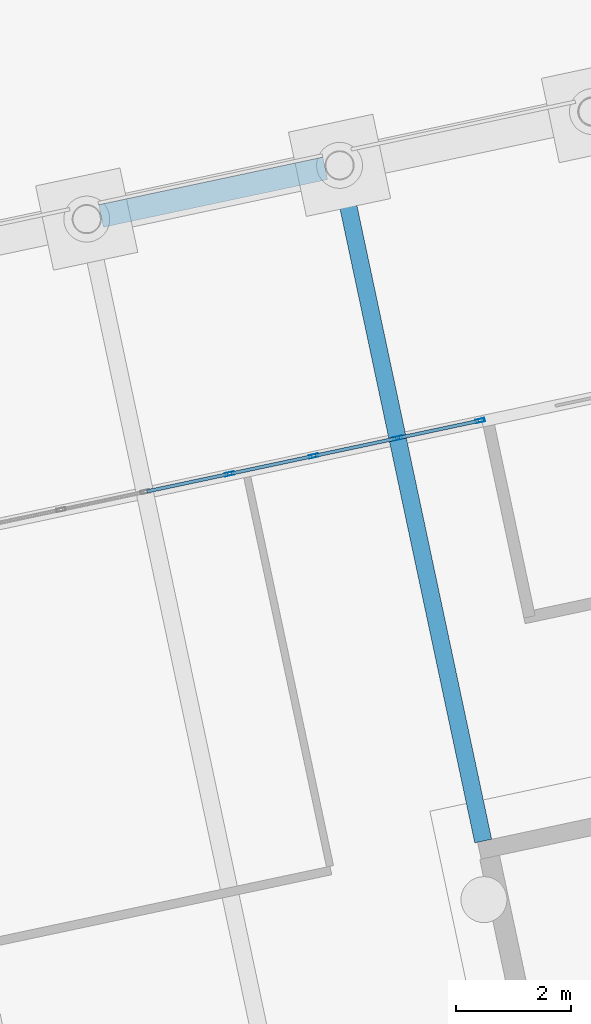
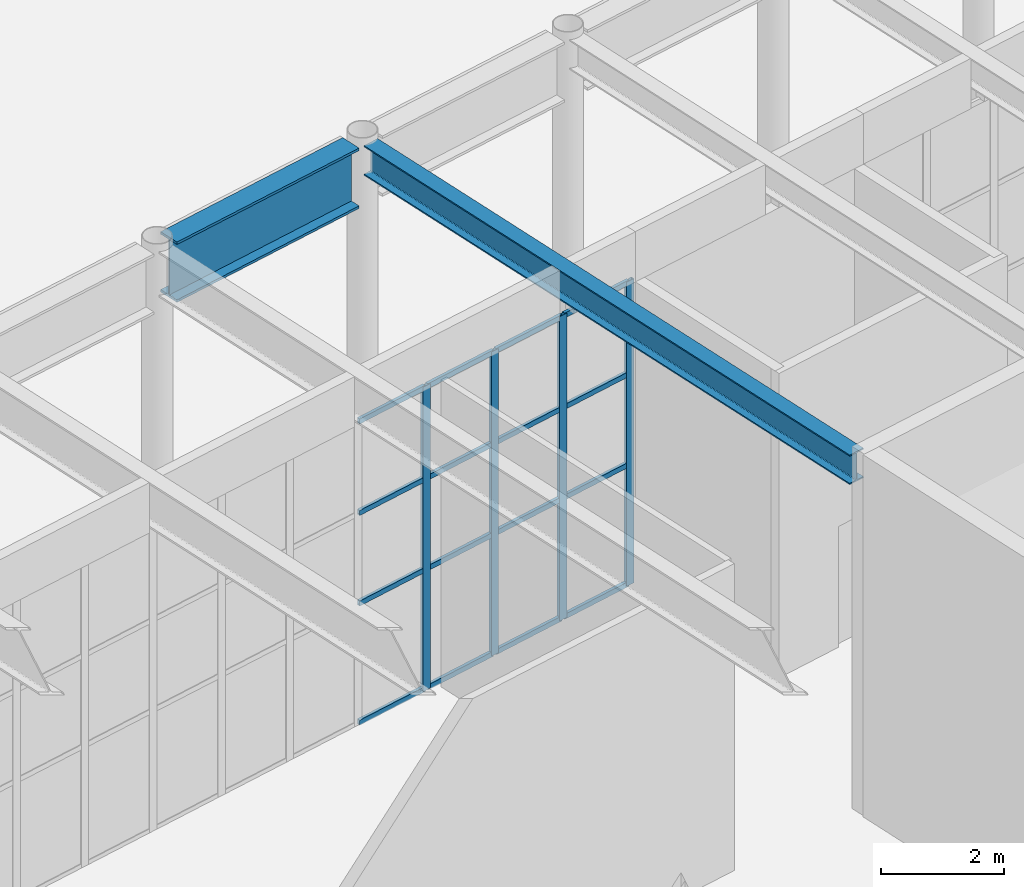
# One storey, part 82 of 239: 20 members, 2 beams, 1 element without a shape of its own.
"""IFC4 building model written with IfcOpenShell, lengths in metres."""

from ifc_helpers import new_model, si_unit, direction, frame, origin, origin_2d, place, context, subcontext, project, spatial, hollow_rectangle, i_section, extrude, material, material_profile, profile_set, type_object, element, aggregate, save


model = new_model("IFC4")

# Units and contexts
model_context = context("Model", 3, precision=1e-05, world=origin(), true_north=direction((0.0, 1.0)))
body_context = subcontext(model_context, "Body", "Model", "MODEL_VIEW")
ifc_project = project(units=[si_unit("LENGTHUNIT", "METRE"), si_unit("AREAUNIT", "SQUARE_METRE"), si_unit("VOLUMEUNIT", "CUBIC_METRE"), si_unit("PLANEANGLEUNIT", "RADIAN"), si_unit("MASSUNIT", "GRAM", prefix="KILO")], contexts=[model_context])

# Site, building, storey
site_placement = place(None, origin())
site = spatial("IfcSite", under=ifc_project, at=site_placement, CompositionType="ELEMENT")
building_placement = place(site_placement, origin())
building = spatial("IfcBuilding", under=site, at=building_placement, Name="Okhra Congress Centre", CompositionType="ELEMENT")
storey_placement = place(building_placement, origin())
storey = spatial("IfcBuildingStorey", under=building, at=storey_placement, Name="L00", CompositionType="ELEMENT", Elevation=0.0)

# Curtain wall, members
ifc_material_1 = material(Name="Aluminium curtain wall, triple glazing", Category="aluminium")
curtain_wall_type = type_object("IfcCurtainWallType", Name="Curtain wall 1500 module", PredefinedType="NOTDEFINED", material=ifc_material_1)
curtain_wall_placement = place(storey_placement, origin())
curtain_wall = element("IfcCurtainWall", 1, at=curtain_wall_placement, inside=storey, type_object=curtain_wall_type, Name="Ground curtain wall N8", PredefinedType="NOTDEFINED")
ifc_material_2 = material(Name="Aluminium alloy EN AW-6063 T66", Category="aluminium")
ifc_material_profile_1 = material_profile(ifc_material_2, hollow_rectangle(XDim=0.06005859375, YDim=0.159912109375, WallThickness=0.00390625, at=origin_2d()), Name="RHS 60x160x4")
ifc_profile_set_1 = profile_set([ifc_material_profile_1], Name="Aluminium alloy EN AW-6063 T66")
member_type_1 = type_object("IfcMemberType", Name="Curtain wall mullion 60x160", PredefinedType="MULLION", material=ifc_profile_set_1)
member_1_placement = place(storey_placement, frame((128.931640625, 60.81884765625, 0.0), z_axis=(0.0, 0.0, 1.0), x_axis=(-0.207911690818, 0.978147600734, 0.0)))
member_1 = element("IfcMember", 2, at=member_1_placement, type_object=member_type_1, Name="CW7 mullion 14", PredefinedType="MULLION", context=body_context, shape_type="SweptSolid", body=[
    extrude(hollow_rectangle(XDim=0.06005859375, YDim=0.159912109375, WallThickness=0.00390625, at=origin_2d()), origin(), (0.0, 0.0, 1.0), 6.050048828125),
])
member_2_placement = place(storey_placement, frame((130.396484375, 61.13037109375, 0.0), z_axis=(0.0, 0.0, 1.0), x_axis=(-0.207911690818, 0.978147600734, 0.0)))
member_2 = element("IfcMember", 3, at=member_2_placement, type_object=member_type_1, Name="CW7 mullion 15", PredefinedType="MULLION", context=body_context, shape_type="SweptSolid", body=[
    extrude(hollow_rectangle(XDim=0.06005859375, YDim=0.159912109375, WallThickness=0.00390625, at=origin_2d()), origin(), (0.0, 0.0, 1.0), 6.050048828125),
])
member_3_placement = place(storey_placement, frame((131.861328125, 61.441650390625, 0.0), z_axis=(0.0, 0.0, 1.0), x_axis=(-0.207911690818, 0.978147600734, 0.0)))
member_3 = element("IfcMember", 4, at=member_3_placement, type_object=member_type_1, Name="CW7 mullion 16", PredefinedType="MULLION", context=body_context, shape_type="SweptSolid", body=[
    extrude(hollow_rectangle(XDim=0.06005859375, YDim=0.159912109375, WallThickness=0.00390625, at=origin_2d()), origin(), (0.0, 0.0, 1.0), 6.050048828125),
])
member_4_placement = place(storey_placement, frame((133.296630859375, 61.746826171875, 0.0), z_axis=(0.0, 0.0, 1.0), x_axis=(-0.207911690818, 0.978147600734, 0.0)))
member_4 = element("IfcMember", 5, at=member_4_placement, type_object=member_type_1, Name="CW7 mullion 17", PredefinedType="MULLION", context=body_context, shape_type="SweptSolid", body=[
    extrude(hollow_rectangle(XDim=0.06005859375, YDim=0.159912109375, WallThickness=0.00390625, at=origin_2d()), origin(), (0.0, 0.0, 1.0), 6.050048828125),
])
ifc_material_profile_2 = material_profile(ifc_material_2, hollow_rectangle(XDim=0.06005859375, YDim=0.10009765625, WallThickness=0.00390625, at=origin_2d()), Name="RHS 60x100x4")
ifc_profile_set_2 = profile_set([ifc_material_profile_2], Name="Aluminium alloy EN AW-6063 T66")
member_type_2 = type_object("IfcMemberType", Name="Curtain wall transom 60x100", PredefinedType="USERDEFINED", material=ifc_profile_set_2)
member_5_placement = place(storey_placement, frame((127.496337890625, 60.513916015625, 0.030029296875), z_axis=(0.978151512004, 0.207893288886, 0.0), x_axis=(-0.207893288886, 0.978151512004, 0.0)))
member_5 = element("IfcMember", 6, at=member_5_placement, type_object=member_type_2, Name="CW7 transom 13.1", ObjectType="TRANSOM", PredefinedType="USERDEFINED", context=body_context, shape_type="SweptSolid", body=[
    extrude(hollow_rectangle(XDim=0.06005859375, YDim=0.10009765625, WallThickness=0.00390625, at=origin_2d()), origin(), (0.0, 0.0, 1.0), 1.4375),
])
member_6_placement = place(storey_placement, frame((127.496337890625, 60.513916015625, 2.39990234375), z_axis=(0.978151512004, 0.207893288886, 0.0), x_axis=(-0.207893288886, 0.978151512004, 0.0)))
member_6 = element("IfcMember", 7, at=member_6_placement, type_object=member_type_2, Name="CW7 transom 13.2", ObjectType="TRANSOM", PredefinedType="USERDEFINED", context=body_context, shape_type="SweptSolid", body=[
    extrude(hollow_rectangle(XDim=0.06005859375, YDim=0.10009765625, WallThickness=0.00390625, at=origin_2d()), origin(), (0.0, 0.0, 1.0), 1.4375),
])
member_7_placement = place(storey_placement, frame((127.496337890625, 60.513916015625, 4.199951171875), z_axis=(0.978151512004, 0.207893288886, 0.0), x_axis=(-0.207893288886, 0.978151512004, 0.0)))
member_7 = element("IfcMember", 8, at=member_7_placement, type_object=member_type_2, Name="CW7 transom 13.3", ObjectType="TRANSOM", PredefinedType="USERDEFINED", context=body_context, shape_type="SweptSolid", body=[
    extrude(hollow_rectangle(XDim=0.06005859375, YDim=0.10009765625, WallThickness=0.00390625, at=origin_2d()), origin(), (0.0, 0.0, 1.0), 1.4375),
])
member_8_placement = place(storey_placement, frame((127.496337890625, 60.513916015625, 6.02001953125), z_axis=(0.978151512004, 0.207893288886, 0.0), x_axis=(-0.207893288886, 0.978151512004, 0.0)))
member_8 = element("IfcMember", 9, at=member_8_placement, type_object=member_type_2, Name="CW7 transom 13.4", ObjectType="TRANSOM", PredefinedType="USERDEFINED", context=body_context, shape_type="SweptSolid", body=[
    extrude(hollow_rectangle(XDim=0.06005859375, YDim=0.10009765625, WallThickness=0.00390625, at=origin_2d()), origin(), (0.0, 0.0, 1.0), 1.4375),
])
member_9_placement = place(storey_placement, frame((128.9609375, 60.8251953125, 0.030029296875), z_axis=(0.978158850918, 0.20785875582, 0.0), x_axis=(-0.20785875582, 0.978158850918, 0.0)))
member_9 = element("IfcMember", 10, at=member_9_placement, type_object=member_type_2, Name="CW7 transom 14.1", ObjectType="TRANSOM", PredefinedType="USERDEFINED", context=body_context, shape_type="SweptSolid", body=[
    extrude(hollow_rectangle(XDim=0.06005859375, YDim=0.10009765625, WallThickness=0.00390625, at=origin_2d()), origin(), (0.0, 0.0, 1.0), 1.437744140625),
])
member_10_placement = place(storey_placement, frame((128.9609375, 60.8251953125, 2.39990234375), z_axis=(0.978158850918, 0.20785875582, 0.0), x_axis=(-0.20785875582, 0.978158850918, 0.0)))
member_10 = element("IfcMember", 11, at=member_10_placement, type_object=member_type_2, Name="CW7 transom 14.2", ObjectType="TRANSOM", PredefinedType="USERDEFINED", context=body_context, shape_type="SweptSolid", body=[
    extrude(hollow_rectangle(XDim=0.06005859375, YDim=0.10009765625, WallThickness=0.00390625, at=origin_2d()), origin(), (0.0, 0.0, 1.0), 1.437744140625),
])
member_11_placement = place(storey_placement, frame((128.9609375, 60.8251953125, 4.199951171875), z_axis=(0.978158850918, 0.20785875582, 0.0), x_axis=(-0.20785875582, 0.978158850918, 0.0)))
member_11 = element("IfcMember", 12, at=member_11_placement, type_object=member_type_2, Name="CW7 transom 14.3", ObjectType="TRANSOM", PredefinedType="USERDEFINED", context=body_context, shape_type="SweptSolid", body=[
    extrude(hollow_rectangle(XDim=0.06005859375, YDim=0.10009765625, WallThickness=0.00390625, at=origin_2d()), origin(), (0.0, 0.0, 1.0), 1.437744140625),
])
member_12_placement = place(storey_placement, frame((128.9609375, 60.8251953125, 6.02001953125), z_axis=(0.978158850918, 0.20785875582, 0.0), x_axis=(-0.20785875582, 0.978158850918, 0.0)))
member_12 = element("IfcMember", 13, at=member_12_placement, type_object=member_type_2, Name="CW7 transom 14.4", ObjectType="TRANSOM", PredefinedType="USERDEFINED", context=body_context, shape_type="SweptSolid", body=[
    extrude(hollow_rectangle(XDim=0.06005859375, YDim=0.10009765625, WallThickness=0.00390625, at=origin_2d()), origin(), (0.0, 0.0, 1.0), 1.437744140625),
])
member_13_placement = place(storey_placement, frame((130.42578125, 61.136474609375, 0.030029296875), z_axis=(0.978158850918, 0.20785875582, 0.0), x_axis=(-0.20785875582, 0.978158850918, 0.0)))
member_13 = element("IfcMember", 14, at=member_13_placement, type_object=member_type_2, Name="CW7 transom 15.1", ObjectType="TRANSOM", PredefinedType="USERDEFINED", context=body_context, shape_type="SweptSolid", body=[
    extrude(hollow_rectangle(XDim=0.06005859375, YDim=0.10009765625, WallThickness=0.00390625, at=origin_2d()), origin(), (0.0, 0.0, 1.0), 1.437744140625),
])
member_14_placement = place(storey_placement, frame((130.42578125, 61.136474609375, 2.39990234375), z_axis=(0.978158850918, 0.20785875582, 0.0), x_axis=(-0.20785875582, 0.978158850918, 0.0)))
member_14 = element("IfcMember", 15, at=member_14_placement, type_object=member_type_2, Name="CW7 transom 15.2", ObjectType="TRANSOM", PredefinedType="USERDEFINED", context=body_context, shape_type="SweptSolid", body=[
    extrude(hollow_rectangle(XDim=0.06005859375, YDim=0.10009765625, WallThickness=0.00390625, at=origin_2d()), origin(), (0.0, 0.0, 1.0), 1.437744140625),
])
member_15_placement = place(storey_placement, frame((130.42578125, 61.136474609375, 4.199951171875), z_axis=(0.978158850918, 0.20785875582, 0.0), x_axis=(-0.20785875582, 0.978158850918, 0.0)))
member_15 = element("IfcMember", 16, at=member_15_placement, type_object=member_type_2, Name="CW7 transom 15.3", ObjectType="TRANSOM", PredefinedType="USERDEFINED", context=body_context, shape_type="SweptSolid", body=[
    extrude(hollow_rectangle(XDim=0.06005859375, YDim=0.10009765625, WallThickness=0.00390625, at=origin_2d()), origin(), (0.0, 0.0, 1.0), 1.437744140625),
])
member_16_placement = place(storey_placement, frame((130.42578125, 61.136474609375, 6.02001953125), z_axis=(0.978158850918, 0.20785875582, 0.0), x_axis=(-0.20785875582, 0.978158850918, 0.0)))
member_16 = element("IfcMember", 17, at=member_16_placement, type_object=member_type_2, Name="CW7 transom 15.4", ObjectType="TRANSOM", PredefinedType="USERDEFINED", context=body_context, shape_type="SweptSolid", body=[
    extrude(hollow_rectangle(XDim=0.06005859375, YDim=0.10009765625, WallThickness=0.00390625, at=origin_2d()), origin(), (0.0, 0.0, 1.0), 1.437744140625),
])
member_17_placement = place(storey_placement, frame((131.890625, 61.44775390625, 0.030029296875), z_axis=(0.978133715724, 0.207977003929, 0.0), x_axis=(-0.207977003929, 0.978133715724, 0.0)))
member_17 = element("IfcMember", 18, at=member_17_placement, type_object=member_type_2, Name="CW7 transom 16.1", ObjectType="TRANSOM", PredefinedType="USERDEFINED", context=body_context, shape_type="SweptSolid", body=[
    extrude(hollow_rectangle(XDim=0.06005859375, YDim=0.10009765625, WallThickness=0.00390625, at=origin_2d()), origin(), (0.0, 0.0, 1.0), 1.407470703125),
])
member_18_placement = place(storey_placement, frame((131.890625, 61.44775390625, 2.39990234375), z_axis=(0.978133715724, 0.207977003929, 0.0), x_axis=(-0.207977003929, 0.978133715724, 0.0)))
member_18 = element("IfcMember", 19, at=member_18_placement, type_object=member_type_2, Name="CW7 transom 16.2", ObjectType="TRANSOM", PredefinedType="USERDEFINED", context=body_context, shape_type="SweptSolid", body=[
    extrude(hollow_rectangle(XDim=0.06005859375, YDim=0.10009765625, WallThickness=0.00390625, at=origin_2d()), origin(), (0.0, 0.0, 1.0), 1.407470703125),
])
member_19_placement = place(storey_placement, frame((131.890625, 61.44775390625, 4.199951171875), z_axis=(0.978133715724, 0.207977003929, 0.0), x_axis=(-0.207977003929, 0.978133715724, 0.0)))
member_19 = element("IfcMember", 20, at=member_19_placement, type_object=member_type_2, Name="CW7 transom 16.3", ObjectType="TRANSOM", PredefinedType="USERDEFINED", context=body_context, shape_type="SweptSolid", body=[
    extrude(hollow_rectangle(XDim=0.06005859375, YDim=0.10009765625, WallThickness=0.00390625, at=origin_2d()), origin(), (0.0, 0.0, 1.0), 1.407470703125),
])
member_20_placement = place(storey_placement, frame((131.890625, 61.44775390625, 6.02001953125), z_axis=(0.978133715724, 0.207977003929, 0.0), x_axis=(-0.207977003929, 0.978133715724, 0.0)))
member_20 = element("IfcMember", 21, at=member_20_placement, type_object=member_type_2, Name="CW7 transom 16.4", ObjectType="TRANSOM", PredefinedType="USERDEFINED", context=body_context, shape_type="SweptSolid", body=[
    extrude(hollow_rectangle(XDim=0.06005859375, YDim=0.10009765625, WallThickness=0.00390625, at=origin_2d()), origin(), (0.0, 0.0, 1.0), 1.407470703125),
])
aggregate(curtain_wall, [member_1, member_2, member_3, member_4, member_5, member_6, member_7, member_8, member_9, member_10, member_11, member_12, member_13, member_14, member_15, member_16, member_17, member_18, member_19, member_20])

# Beams
ifc_material_3 = material(Name="Steel S355J2", Category="steel")
ifc_material_profile_3 = material_profile(ifc_material_3, i_section(OverallWidth=0.300048828125, OverallDepth=0.590087890625, WebThickness=0.012939453125, FlangeThickness=0.02490234375, FilletRadius=0.027099609375, at=origin_2d()), Name="HE 600 A")
ifc_profile_set_3 = profile_set([ifc_material_profile_3], Name="Steel S355J2")
beam_type_1 = type_object("IfcBeamType", Name="Floor beam HE 600 A", PredefinedType="BEAM", material=ifc_profile_set_3)
beam_1_placement = place(storey_placement, frame((133.349609375, 54.427734375, 6.7548828125), z_axis=(-0.207925671893, 0.97814462886, 0.0), x_axis=(-0.97814462886, -0.207925671893, 0.0)))
element("IfcBeam", 22, at=beam_1_placement, inside=storey, type_object=beam_type_1, Name="Floor beam 17.2", PredefinedType="BEAM", context=body_context, shape_type="SweptSolid", body=[
    extrude(i_section(OverallWidth=0.300048828125, OverallDepth=0.590087890625, WebThickness=0.012939453125, FlangeThickness=0.02490234375, FilletRadius=0.027099609375, at=origin_2d()), origin(), (0.0, 0.0, 1.0), 11.8251953125),
])
ifc_material_profile_4 = material_profile(ifc_material_3, i_section(OverallWidth=0.39990234375, OverallDepth=1.199951171875, WebThickness=0.02490234375, FlangeThickness=0.050048828125, at=origin_2d()), Name="Plate girder 1200x400")
ifc_profile_set_4 = profile_set([ifc_material_profile_4], Name="Steel S355J2")
beam_type_2 = type_object("IfcBeamType", Name="Perimeter plate girder 1200x400", PredefinedType="BEAM", material=ifc_profile_set_4)
beam_2_placement = place(storey_placement, frame((126.6962890625, 65.30712890625, 6.449951171875), z_axis=(0.978142994281, 0.207933361295, 0.0), x_axis=(-0.207933361295, 0.978142994281, 0.0)))
element("IfcBeam", 23, at=beam_2_placement, inside=storey, type_object=beam_type_2, Name="Perimeter girder N14", PredefinedType="BEAM", context=body_context, shape_type="SweptSolid", body=[
    extrude(i_section(OverallWidth=0.39990234375, OverallDepth=1.199951171875, WebThickness=0.02490234375, FlangeThickness=0.050048828125, at=origin_2d()), origin(), (0.0, 0.0, 1.0), 3.991943359375),
])

save(model, "model.ifc")
